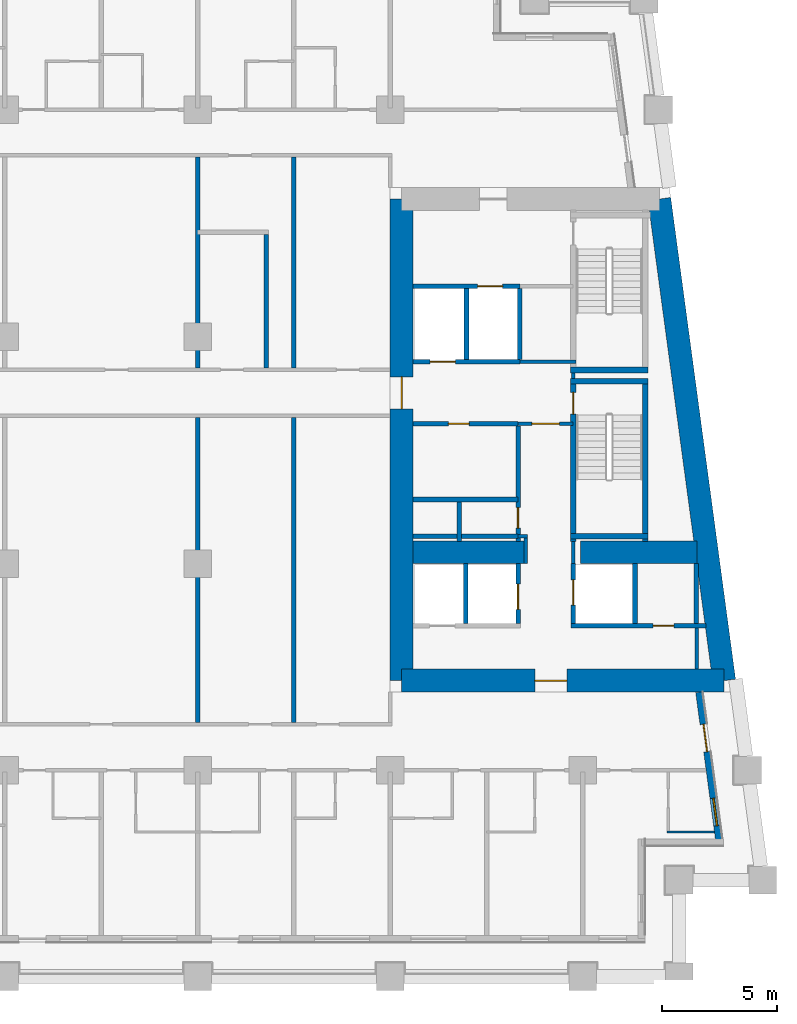
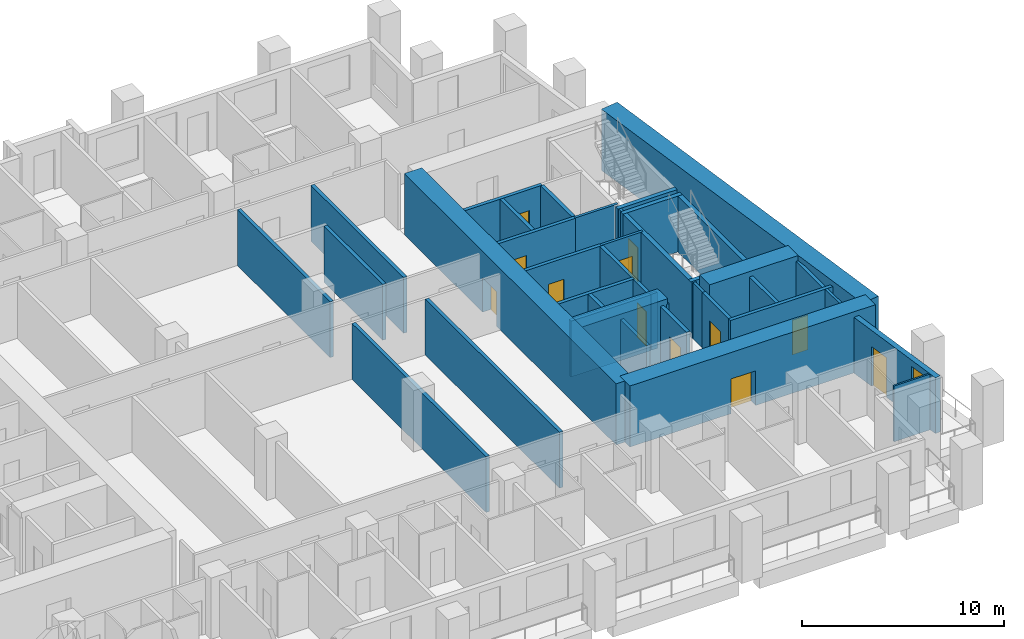
# One storey, part 6 of 14: 39 walls, 12 doors, 1 window, 13 openings.
"""IFC4 building model written with IfcOpenShell, lengths in metres."""

from ifc_helpers import new_model, si_unit, direction, frame, frame_2d, origin, place, context, subcontext, project, spatial, rectangle, extrude, material, layer, layer_set, type_object, element, fill, save


model = new_model("IFC4")

# Units and contexts
model_context = context("Model", 3, precision=1e-05, world=origin(), true_north=direction((0.0, 1.0)))
body_context = subcontext(model_context, "Body", "Model", "MODEL_VIEW")
ifc_project = project(units=[si_unit("LENGTHUNIT", "METRE"), si_unit("AREAUNIT", "SQUARE_METRE"), si_unit("VOLUMEUNIT", "CUBIC_METRE"), si_unit("PLANEANGLEUNIT", "RADIAN"), si_unit("MASSUNIT", "GRAM", prefix="KILO")], contexts=[model_context])

# Site, building, storey
site_placement = place(None, origin())
site = spatial("IfcSite", under=ifc_project, at=site_placement, CompositionType="ELEMENT")
building_placement = place(site_placement, origin())
building = spatial("IfcBuilding", under=site, at=building_placement, Name="Candeia Pilgrim Tower and Theatre", CompositionType="ELEMENT")
storey_placement = place(building_placement, frame((0.0, 0.0, 120.60009765625)))
storey = spatial("IfcBuildingStorey", under=building, at=storey_placement, Name="L28", CompositionType="ELEMENT", Elevation=120.60009765625)

# Wall
ifc_material_1 = material(Name="Concrete C70/85", Category="concrete")
ifc_layer_1 = layer(ifc_material_1, 1.0)
ifc_layer_set_1 = layer_set([ifc_layer_1], Name="Core wall 1000 C70/85")
wall_type_1 = type_object("IfcWallType", Name="Core wall 1000 C70/85", PredefinedType="SHEAR", material=ifc_layer_set_1)
wall_1_placement = place(storey_placement, frame((137.73193359375, 131.89990234375, 0.0), z_axis=(0.0, 0.0, 1.0), x_axis=(0.133411141623, -0.991060778808, 0.0)))
element("IfcWall", 1, at=wall_1_placement, inside=storey, type_object=wall_type_1, Name="Core wall E2", PredefinedType="SHEAR", context=body_context, shape_type="SweptSolid", body=[
    extrude(rectangle(XDim=21.189453125, YDim=1.0, at=frame_2d((10.5947265625, 0.0))), origin(), (0.0, 0.0, 1.0), 3.699951171875),
])

# Wall, opening, door
wall_2_placement = place(storey_placement, frame((140.558837890625, 110.89990234375, 0.0), z_axis=(0.0, 0.0, 1.0), x_axis=(-1.0, 0.0, 0.0)))
wall_2 = element("IfcWall", 2, at=wall_2_placement, inside=storey, type_object=wall_type_1, Name="Core wall E3", PredefinedType="SHEAR", context=body_context, shape_type="SweptSolid", body=[
    extrude(rectangle(XDim=14.058837890625, YDim=1.0, at=frame_2d((7.029296875, 0.0))), origin(), (0.0, 0.0, 1.0), 3.699951171875),
])
opening_1_placement = place(wall_2_placement, frame((6.857666015625, 0.0, 0.0)))
opening_1 = element("IfcOpeningElement", 3, at=opening_1_placement, cuts=wall_2, Name="Opening L28-D067", PredefinedType="OPENING", context=body_context, shape_type="SweptSolid", body=[
    extrude(rectangle(XDim=1.39990234375, YDim=2.10009765625, at=frame_2d((0.699951171875, 1.050048828125))), frame((0.0, 0.510009765625, 0.0), z_axis=(0.0, -1.0, 0.0), x_axis=(1.0, 0.0, 0.0)), (0.0, 0.0, 1.0), 1.02001953125),
])
ifc_material_2 = material(Name="Steel fire door set", Category="steel")
door_type_1 = type_object("IfcDoorType", Name="D-1400-FD60", OperationType="NOTDEFINED", PredefinedType="DOOR", material=ifc_material_2)
door_1_placement = place(opening_1_placement, origin())
door_1 = element("IfcDoor", 4, at=door_1_placement, inside=storey, type_object=door_type_1, Name="Door L28-D067", OperationType="SINGLE_SWING_LEFT", OverallHeight=2.10009765625, OverallWidth=1.39990234375, PredefinedType="DOOR", context=body_context, shape_type="SweptSolid", body=[
    extrude(rectangle(XDim=1.39990234375, YDim=2.10009765625, at=frame_2d((0.699951171875, 1.050048828125))), frame((0.0, 0.02490234375, 0.0), z_axis=(0.0, -1.0, 0.0), x_axis=(1.0, 0.0, 0.0)), (0.0, 0.0, 1.0), 0.050048828125),
])
fill(opening_1, door_1)

wall_3_placement = place(storey_placement, frame((126.5, 110.89990234375, 0.0), z_axis=(0.0, 0.0, 1.0), x_axis=(0.0, 1.0, 0.0)))
wall_3 = element("IfcWall", 5, at=wall_3_placement, inside=storey, type_object=wall_type_1, Name="Core wall E4", PredefinedType="SHEAR", context=body_context, shape_type="SweptSolid", body=[
    extrude(rectangle(XDim=21.0, YDim=1.0, at=frame_2d((10.5, 0.0))), origin(), (0.0, 0.0, 1.0), 3.699951171875),
])
opening_2_placement = place(wall_3_placement, frame((11.85009765625, 0.0, 0.0)))
opening_2 = element("IfcOpeningElement", 6, at=opening_2_placement, cuts=wall_3, Name="Opening L28-D069", PredefinedType="OPENING", context=body_context, shape_type="SweptSolid", body=[
    extrude(rectangle(XDim=1.39990234375, YDim=2.10009765625, at=frame_2d((0.699951171875, 1.050048828125))), frame((0.0, 0.510009765625, 0.0), z_axis=(0.0, -1.0, 0.0), x_axis=(1.0, 0.0, 0.0)), (0.0, 0.0, 1.0), 1.02001953125),
])
door_2_placement = place(opening_2_placement, origin())
door_2 = element("IfcDoor", 7, at=door_2_placement, inside=storey, type_object=door_type_1, Name="Door L28-D069", OperationType="SINGLE_SWING_LEFT", OverallHeight=2.10009765625, OverallWidth=1.39990234375, PredefinedType="DOOR", context=body_context, shape_type="SweptSolid", body=[
    extrude(rectangle(XDim=1.39990234375, YDim=2.10009765625, at=frame_2d((0.699951171875, 1.050048828125))), frame((0.0, 0.02490234375, 0.0), z_axis=(0.0, -1.0, 0.0), x_axis=(1.0, 0.0, 0.0)), (0.0, 0.0, 1.0), 0.050048828125),
])
fill(opening_2, door_2)

# Walls
wall_4_placement = place(storey_placement, frame((127.0, 116.5, 0.0), z_axis=(0.0, 0.0, 1.0), x_axis=(1.0, 0.0, 0.0)))
element("IfcWall", 8, at=wall_4_placement, inside=storey, type_object=wall_type_1, Name="Core wall E5", PredefinedType="SHEAR", context=body_context, shape_type="SweptSolid", body=[
    extrude(rectangle(XDim=4.89990234375, YDim=1.0, at=frame_2d((2.449951171875, 0.0))), origin(), (0.0, 0.0, 1.0), 3.699951171875),
])
wall_5_placement = place(storey_placement, frame((134.300048828125, 116.5, 0.0), z_axis=(0.0, 0.0, 1.0), x_axis=(1.0, 0.0, 0.0)))
element("IfcWall", 9, at=wall_5_placement, inside=storey, type_object=wall_type_1, Name="Core wall E6", PredefinedType="SHEAR", context=body_context, shape_type="SweptSolid", body=[
    extrude(rectangle(XDim=5.076904296875, YDim=1.0, at=frame_2d((2.53857421875, 0.0))), origin(), (0.0, 0.0, 1.0), 3.699951171875),
])

# Wall, openings, door, window
ifc_material_3 = material(Name="Ceramic block masonry", Category="masonry")
ifc_layer_2 = layer(ifc_material_3, 0.300048828125)
ifc_layer_set_2 = layer_set([ifc_layer_2], Name="EW1 glazing-line wall 300")
wall_type_2 = type_object("IfcWallType", Name="EW1 glazing-line wall 300", PredefinedType="SOLIDWALL", material=ifc_layer_set_2)
wall_6_placement = place(storey_placement, frame((140.34765625, 103.85009765625, 0.0), z_axis=(0.0, 0.0, 1.0), x_axis=(-0.133431549479, 0.991058031401, 0.0)))
wall_6 = element("IfcWall", 10, at=wall_6_placement, inside=storey, type_object=wall_type_2, Name="External wall L28-3.0", PredefinedType="SOLIDWALL", context=body_context, shape_type="SweptSolid", body=[
    extrude(rectangle(XDim=6.60888671875, YDim=0.300048828125, at=frame_2d((3.304443359375, 0.0))), origin(), (0.0, 0.0, 1.0), 3.3798828125),
])
opening_3_placement = place(wall_6_placement, frame((0.736572265625, 0.0, 0.89990234375)))
opening_3 = element("IfcOpeningElement", 11, at=opening_3_placement, cuts=wall_6, Name="Opening W-B", PredefinedType="OPENING", context=body_context, shape_type="SweptSolid", body=[
    extrude(rectangle(XDim=1.199951171875, YDim=2.10009765625, at=frame_2d((0.60009765625, 1.050048828125))), frame((0.0, 0.16015625, 0.0), z_axis=(0.0, -1.0, 0.0), x_axis=(1.0, 0.0, 0.0)), (0.0, 0.0, 1.0), 0.320068359375),
])
opening_4_placement = place(wall_6_placement, frame((3.990966796875, 0.0, 0.0)))
opening_4 = element("IfcOpeningElement", 12, at=opening_4_placement, cuts=wall_6, Name="Opening L28-ED283", PredefinedType="OPENING", context=body_context, shape_type="SweptSolid", body=[
    extrude(rectangle(XDim=1.199951171875, YDim=2.39990234375, at=frame_2d((0.60009765625, 1.199951171875))), frame((0.0, 0.16015625, 0.0), z_axis=(0.0, -1.0, 0.0), x_axis=(1.0, 0.0, 0.0)), (0.0, 0.0, 1.0), 0.320068359375),
])
ifc_material_4 = material(Name="Aluminium framed glazed door", Category="aluminium")
door_type_2 = type_object("IfcDoorType", Name="Loggia door 1200x2400", OperationType="DOUBLE_DOOR_SINGLE_SWING", PredefinedType="DOOR", material=ifc_material_4)
door_3_placement = place(opening_4_placement, origin())
door_3 = element("IfcDoor", 13, at=door_3_placement, inside=storey, type_object=door_type_2, Name="Loggia door L28-ED283", OperationType="DOUBLE_DOOR_SINGLE_SWING", OverallHeight=2.39990234375, OverallWidth=1.199951171875, PredefinedType="DOOR", context=body_context, shape_type="SweptSolid", body=[
    extrude(rectangle(XDim=1.199951171875, YDim=2.39990234375, at=frame_2d((0.60009765625, 1.199951171875))), frame((0.0, 0.02490234375, 0.0), z_axis=(0.0, -1.0, 0.0), x_axis=(1.0, 0.0, 0.0)), (0.0, 0.0, 1.0), 0.050048828125),
])
fill(opening_4, door_3)
ifc_material_5 = material(Name="Aluminium framed double glazing", Category="aluminium")
window_type = type_object("IfcWindowType", Name="W-B window 1200x2100", PartitioningType="SINGLE_PANEL", PredefinedType="WINDOW", material=ifc_material_5)
window_placement = place(opening_3_placement, origin())
window = element("IfcWindow", 14, at=window_placement, inside=storey, type_object=window_type, Name="Window W-B L28", OverallHeight=2.10009765625, OverallWidth=1.199951171875, PartitioningType="SINGLE_PANEL", PredefinedType="WINDOW", context=body_context, shape_type="SweptSolid", body=[
    extrude(rectangle(XDim=1.199951171875, YDim=2.10009765625, at=frame_2d((0.60009765625, 1.050048828125))), frame((0.0, 0.030029296875, 0.0), z_axis=(0.0, -1.0, 0.0), x_axis=(1.0, 0.0, 0.0)), (0.0, 0.0, 1.0), 0.06005859375),
])
fill(opening_3, window)

# Walls
ifc_material_6 = material(Name="Gypsum board partition on steel studs", Category="steel")
ifc_layer_3 = layer(ifc_material_6, 0.10009765625)
ifc_layer_set_3 = layer_set([ifc_layer_3], Name="PW-100 room partition")
wall_type_3 = type_object("IfcWallType", Name="PW-100 room partition", PredefinedType="PARTITIONING", material=ifc_layer_set_3)
wall_7_placement = place(storey_placement, frame((138.070068359375, 104.300048828125, 0.0), z_axis=(0.0, 0.0, 1.0), x_axis=(1.0, 0.0, 0.0)))
element("IfcWall", 15, at=wall_7_placement, inside=storey, type_object=wall_type_3, Name="Room partition L28-003", PredefinedType="PARTITIONING", context=body_context, shape_type="SweptSolid", body=[
    extrude(rectangle(XDim=2.07568359375, YDim=0.10009765625, at=frame_2d((1.037841796875, 0.0))), origin(), (0.0, 0.0, 1.0), 3.3798828125),
])
ifc_layer_4 = layer(ifc_material_6, 0.14990234375)
ifc_layer_set_4 = layer_set([ifc_layer_4], Name="PW-150 lobby wall")
wall_type_4 = type_object("IfcWallType", Name="PW-150 lobby wall", PredefinedType="PARTITIONING", material=ifc_layer_set_4)
wall_8_placement = place(storey_placement, frame((131.572998046875, 117.199951171875, 0.0), z_axis=(0.0, 0.0, 1.0), x_axis=(1.0, 0.0, 0.0)))
element("IfcWall", 16, at=wall_8_placement, inside=storey, type_object=wall_type_4, Name="Lobby wall L28-021", PredefinedType="PARTITIONING", context=body_context, shape_type="SweptSolid", body=[
    extrude(rectangle(XDim=0.402099609375, YDim=0.14990234375, at=frame_2d((0.201171875, 0.0))), origin(), (0.0, 0.0, 1.0), 3.3798828125),
])

# Wall, opening, door
wall_9_placement = place(storey_placement, frame((131.572998046875, 122.10009765625, 0.0), z_axis=(0.0, 0.0, 1.0), x_axis=(1.0, 0.0, 0.0)))
wall_9 = element("IfcWall", 17, at=wall_9_placement, inside=storey, type_object=wall_type_4, Name="Lobby wall L28-029", PredefinedType="PARTITIONING", context=body_context, shape_type="SweptSolid", body=[
    extrude(rectangle(XDim=2.39990234375, YDim=0.14990234375, at=frame_2d((1.199951171875, 0.0))), origin(), (0.0, 0.0, 1.0), 3.3798828125),
])
opening_5_placement = place(wall_9_placement, frame((0.60009765625, 0.0, 0.0)))
opening_5 = element("IfcOpeningElement", 18, at=opening_5_placement, cuts=wall_9, Name="Opening L28-D008", PredefinedType="OPENING", context=body_context, shape_type="SweptSolid", body=[
    extrude(rectangle(XDim=1.199951171875, YDim=2.10009765625, at=frame_2d((0.60009765625, 1.050048828125))), frame((0.0, 0.0849609375, 0.0), z_axis=(0.0, -1.0, 0.0), x_axis=(1.0, 0.0, 0.0)), (0.0, 0.0, 1.0), 0.169921875),
])
door_type_3 = type_object("IfcDoorType", Name="D-1200-FD60", OperationType="NOTDEFINED", PredefinedType="DOOR", material=ifc_material_2)
door_4_placement = place(opening_5_placement, origin())
door_4 = element("IfcDoor", 19, at=door_4_placement, inside=storey, type_object=door_type_3, Name="Door L28-D008", OperationType="SINGLE_SWING_LEFT", OverallHeight=2.10009765625, OverallWidth=1.199951171875, PredefinedType="DOOR", context=body_context, shape_type="SweptSolid", body=[
    extrude(rectangle(XDim=1.199951171875, YDim=2.10009765625, at=frame_2d((0.60009765625, 1.050048828125))), frame((0.0, 0.02490234375, 0.0), z_axis=(0.0, -1.0, 0.0), x_axis=(1.0, 0.0, 0.0)), (0.0, 0.0, 1.0), 0.050048828125),
])
fill(opening_5, door_4)

# Walls
wall_10_placement = place(storey_placement, frame((131.648681640625, 124.800048828125, 0.0), z_axis=(0.0, 0.0, 1.0), x_axis=(1.0, 0.0, 0.0)))
element("IfcWall", 20, at=wall_10_placement, inside=storey, type_object=wall_type_4, Name="Lobby wall L28-038", PredefinedType="PARTITIONING", context=body_context, shape_type="SweptSolid", body=[
    extrude(rectangle(XDim=2.44921875, YDim=0.14990234375, at=frame_2d((1.224609375, 0.0))), origin(), (0.0, 0.0, 1.0), 3.3798828125),
])
wall_11_placement = place(storey_placement, frame((131.89990234375, 116.0, 0.0), z_axis=(0.0, 0.0, 1.0), x_axis=(0.0, 1.0, 0.0)))
element("IfcWall", 21, at=wall_11_placement, inside=storey, type_object=wall_type_4, Name="Lobby wall L28-122", PredefinedType="PARTITIONING", context=body_context, shape_type="SweptSolid", body=[
    extrude(rectangle(XDim=1.125, YDim=0.14990234375, at=frame_2d((0.5625, 0.0))), origin(), (0.0, 0.0, 1.0), 3.3798828125),
])
wall_12_placement = place(storey_placement, frame((133.972900390625, 116.0, 0.0), z_axis=(0.0, 0.0, 1.0), x_axis=(0.0, 1.0, 0.0)))
element("IfcWall", 22, at=wall_12_placement, inside=storey, type_object=wall_type_4, Name="Lobby wall L28-125", PredefinedType="PARTITIONING", context=body_context, shape_type="SweptSolid", body=[
    extrude(rectangle(XDim=0.969970703125, YDim=0.14990234375, at=frame_2d((0.48486328125, 0.0))), origin(), (0.0, 0.0, 1.0), 3.3798828125),
])
wall_13_placement = place(storey_placement, frame((133.972900390625, 124.074951171875, 0.0), z_axis=(0.0, 0.0, 1.0), x_axis=(0.0, 1.0, 0.0)))
element("IfcWall", 23, at=wall_13_placement, inside=storey, type_object=wall_type_4, Name="Lobby wall L28-126", PredefinedType="PARTITIONING", context=body_context, shape_type="SweptSolid", body=[
    extrude(rectangle(XDim=0.25, YDim=0.14990234375, at=frame_2d((0.125, 0.0))), origin(), (0.0, 0.0, 1.0), 3.3798828125),
])
wall_14_placement = place(storey_placement, frame((139.37109375, 111.39990234375, 0.0), z_axis=(0.0, 0.0, 1.0), x_axis=(0.0, 1.0, 0.0)))
element("IfcWall", 24, at=wall_14_placement, inside=storey, type_object=wall_type_4, Name="Lobby wall L28-135", PredefinedType="PARTITIONING", context=body_context, shape_type="SweptSolid", body=[
    extrude(rectangle(XDim=1.800048828125, YDim=0.14990234375, at=frame_2d((0.89990234375, 0.0))), origin(), (0.0, 0.0, 1.0), 3.3798828125),
])
ifc_layer_5 = layer(ifc_material_6, 0.199951171875)
ifc_layer_set_5 = layer_set([ifc_layer_5], Name="PW-200 party wall")
wall_type_5 = type_object("IfcWallType", Name="PW-200 party wall", PredefinedType="PARTITIONING", material=ifc_layer_set_5)
wall_15_placement = place(storey_placement, frame((117.60009765625, 109.074951171875, 0.0), z_axis=(0.0, 0.0, 1.0), x_axis=(0.0, 1.0, 0.0)))
element("IfcWall", 25, at=wall_15_placement, inside=storey, type_object=wall_type_5, Name="Party wall L28-098", PredefinedType="PARTITIONING", context=body_context, shape_type="SweptSolid", body=[
    extrude(rectangle(XDim=13.300048828125, YDim=0.199951171875, at=frame_2d((6.64990234375, 0.0))), origin(), (0.0, 0.0, 1.0), 3.3798828125),
])
wall_16_placement = place(storey_placement, frame((117.60009765625, 124.52490234375, 0.0), z_axis=(0.0, 0.0, 1.0), x_axis=(0.0, 1.0, 0.0)))
element("IfcWall", 26, at=wall_16_placement, inside=storey, type_object=wall_type_5, Name="Party wall L28-099", PredefinedType="PARTITIONING", context=body_context, shape_type="SweptSolid", body=[
    extrude(rectangle(XDim=9.2001953125, YDim=0.199951171875, at=frame_2d((4.60009765625, 0.0))), origin(), (0.0, 0.0, 1.0), 3.3798828125),
])
wall_17_placement = place(storey_placement, frame((120.60009765625, 124.52490234375, 0.0), z_axis=(0.0, 0.0, 1.0), x_axis=(0.0, 1.0, 0.0)))
element("IfcWall", 27, at=wall_17_placement, inside=storey, type_object=wall_type_5, Name="Party wall L28-103", PredefinedType="PARTITIONING", context=body_context, shape_type="SweptSolid", body=[
    extrude(rectangle(XDim=5.8251953125, YDim=0.199951171875, at=frame_2d((2.91259765625, 0.0))), origin(), (0.0, 0.0, 1.0), 3.3798828125),
])
wall_18_placement = place(storey_placement, frame((121.800048828125, 109.074951171875, 0.0), z_axis=(0.0, 0.0, 1.0), x_axis=(0.0, 1.0, 0.0)))
element("IfcWall", 28, at=wall_18_placement, inside=storey, type_object=wall_type_5, Name="Party wall L28-105", PredefinedType="PARTITIONING", context=body_context, shape_type="SweptSolid", body=[
    extrude(rectangle(XDim=13.300048828125, YDim=0.199951171875, at=frame_2d((6.64990234375, 0.0))), origin(), (0.0, 0.0, 1.0), 3.3798828125),
])
wall_19_placement = place(storey_placement, frame((121.800048828125, 124.52490234375, 0.0), z_axis=(0.0, 0.0, 1.0), x_axis=(0.0, 1.0, 0.0)))
element("IfcWall", 29, at=wall_19_placement, inside=storey, type_object=wall_type_5, Name="Party wall L28-106", PredefinedType="PARTITIONING", context=body_context, shape_type="SweptSolid", body=[
    extrude(rectangle(XDim=9.2001953125, YDim=0.199951171875, at=frame_2d((4.60009765625, 0.0))), origin(), (0.0, 0.0, 1.0), 3.3798828125),
])

# Wall, opening, door
ifc_material_7 = material(Name="Concrete C40/50", Category="concrete")
ifc_layer_6 = layer(ifc_material_7, 0.199951171875)
ifc_layer_set_6 = layer_set([ifc_layer_6], Name="SW-200 shaft wall")
wall_type_6 = type_object("IfcWallType", Name="SW-200 shaft wall", PredefinedType="PARTITIONING", material=ifc_layer_set_6)
wall_20_placement = place(storey_placement, frame((133.873046875, 113.300048828125, 0.0), z_axis=(0.0, 0.0, 1.0), x_axis=(1.0, 0.0, 0.0)))
wall_20 = element("IfcWall", 30, at=wall_20_placement, inside=storey, type_object=wall_type_6, Name="Shaft wall L28-017", PredefinedType="PARTITIONING", context=body_context, shape_type="SweptSolid", body=[
    extrude(rectangle(XDim=5.888427734375, YDim=0.199951171875, at=frame_2d((2.9443359375, 0.0))), origin(), (0.0, 0.0, 1.0), 3.3798828125),
])
opening_6_placement = place(wall_20_placement, frame((3.589111328125, 0.0, 0.0)))
opening_6 = element("IfcOpeningElement", 31, at=opening_6_placement, cuts=wall_20, Name="Opening L28-D013", PredefinedType="OPENING", context=body_context, shape_type="SweptSolid", body=[
    extrude(rectangle(XDim=0.89990234375, YDim=2.10009765625, at=frame_2d((0.449951171875, 1.050048828125))), frame((0.0, 0.10986328125, 0.0), z_axis=(0.0, -1.0, 0.0), x_axis=(1.0, 0.0, 0.0)), (0.0, 0.0, 1.0), 0.219970703125),
])
door_type_4 = type_object("IfcDoorType", Name="D-900-FD60", OperationType="NOTDEFINED", PredefinedType="DOOR", material=ifc_material_2)
door_5_placement = place(opening_6_placement, origin())
door_5 = element("IfcDoor", 32, at=door_5_placement, inside=storey, type_object=door_type_4, Name="Door L28-D013", OperationType="SINGLE_SWING_LEFT", OverallHeight=2.10009765625, OverallWidth=0.89990234375, PredefinedType="DOOR", context=body_context, shape_type="SweptSolid", body=[
    extrude(rectangle(XDim=0.89990234375, YDim=2.10009765625, at=frame_2d((0.449951171875, 1.050048828125))), frame((0.0, 0.02490234375, 0.0), z_axis=(0.0, -1.0, 0.0), x_axis=(1.0, 0.0, 0.0)), (0.0, 0.0, 1.0), 0.050048828125),
])
fill(opening_6, door_5)

# Walls
for number, where, z_axis, x_axis, name in (
    (33, (127.0, 117.199951171875, 0.0), (0.0, 0.0, 1.0), (1.0, 0.0, 0.0), "Shaft wall L28-019"),
    (34, (127.0, 118.800048828125, 0.0), (0.0, 0.0, 1.0), (1.0, 0.0, 0.0), "Shaft wall L28-025"),
):
    element("IfcWall", number, at=place(storey_placement, frame(where, z_axis=z_axis, x_axis=x_axis)), inside=storey, type_object=wall_type_6, Name=name, PredefinedType="PARTITIONING", context=body_context, shape_type="SweptSolid", body=[
        extrude(rectangle(XDim=4.572998046875, YDim=0.199951171875, at=frame_2d((2.28662109375, 0.0))), origin(), (0.0, 0.0, 1.0), 3.3798828125),
    ])

# Wall, opening, door
wall_21_placement = place(storey_placement, frame((127.0, 122.10009765625, 0.0), z_axis=(0.0, 0.0, 1.0), x_axis=(1.0, 0.0, 0.0)))
wall_21 = element("IfcWall", 35, at=wall_21_placement, inside=storey, type_object=wall_type_6, Name="Shaft wall L28-027", PredefinedType="PARTITIONING", context=body_context, shape_type="SweptSolid", body=[
    extrude(rectangle(XDim=4.572998046875, YDim=0.199951171875, at=frame_2d((2.28662109375, 0.0))), origin(), (0.0, 0.0, 1.0), 3.3798828125),
])
opening_7_placement = place(wall_21_placement, frame((1.5390625, 0.0, 0.0)))
opening_7 = element("IfcOpeningElement", 36, at=opening_7_placement, cuts=wall_21, Name="Opening L28-D009", PredefinedType="OPENING", context=body_context, shape_type="SweptSolid", body=[
    extrude(rectangle(XDim=0.89990234375, YDim=2.10009765625, at=frame_2d((0.449951171875, 1.050048828125))), frame((0.0, 0.10986328125, 0.0), z_axis=(0.0, -1.0, 0.0), x_axis=(1.0, 0.0, 0.0)), (0.0, 0.0, 1.0), 0.219970703125),
])
door_6_placement = place(opening_7_placement, origin())
door_6 = element("IfcDoor", 37, at=door_6_placement, inside=storey, type_object=door_type_4, Name="Door L28-D009", OperationType="SINGLE_SWING_RIGHT", OverallHeight=2.10009765625, OverallWidth=0.89990234375, PredefinedType="DOOR", context=body_context, shape_type="SweptSolid", body=[
    extrude(rectangle(XDim=0.89990234375, YDim=2.10009765625, at=frame_2d((0.449951171875, 1.050048828125))), frame((0.0, 0.02490234375, 0.0), z_axis=(0.0, -1.0, 0.0), x_axis=(1.0, 0.0, 0.0)), (0.0, 0.0, 1.0), 0.050048828125),
])
fill(opening_7, door_6)

wall_22_placement = place(storey_placement, frame((127.0, 124.800048828125, 0.0), z_axis=(0.0, 0.0, 1.0), x_axis=(1.0, 0.0, 0.0)))
wall_22 = element("IfcWall", 38, at=wall_22_placement, inside=storey, type_object=wall_type_6, Name="Shaft wall L28-037", PredefinedType="PARTITIONING", context=body_context, shape_type="SweptSolid", body=[
    extrude(rectangle(XDim=4.648681640625, YDim=0.199951171875, at=frame_2d((2.32421875, 0.0))), origin(), (0.0, 0.0, 1.0), 3.3798828125),
])
opening_8_placement = place(wall_22_placement, frame((0.742919921875, 0.0, 0.0)))
opening_8 = element("IfcOpeningElement", 39, at=opening_8_placement, cuts=wall_22, Name="Opening L28-LD05", PredefinedType="OPENING", context=body_context, shape_type="SweptSolid", body=[
    extrude(rectangle(XDim=1.10009765625, YDim=2.10009765625, at=frame_2d((0.550048828125, 1.050048828125))), frame((0.0, 0.10986328125, 0.0), z_axis=(0.0, -1.0, 0.0), x_axis=(1.0, 0.0, 0.0)), (0.0, 0.0, 1.0), 0.219970703125),
])
ifc_material_8 = material(Name="Glazed aluminium landing door", Category="aluminium")
door_type_5 = type_object("IfcDoorType", Name="LD-1100-EI120", OperationType="SLIDING_TO_LEFT", PredefinedType="DOOR", material=ifc_material_8)
door_7_placement = place(opening_8_placement, origin())
door_7 = element("IfcDoor", 40, at=door_7_placement, inside=storey, type_object=door_type_5, Name="Landing door 05 L28", OperationType="SLIDING_TO_LEFT", OverallHeight=2.10009765625, OverallWidth=1.10009765625, PredefinedType="DOOR", context=body_context, shape_type="SweptSolid", body=[
    extrude(rectangle(XDim=1.10009765625, YDim=2.10009765625, at=frame_2d((0.550048828125, 1.050048828125))), frame((0.0, 0.02490234375, 0.0), z_axis=(0.0, -1.0, 0.0), x_axis=(1.0, 0.0, 0.0)), (0.0, 0.0, 1.0), 0.050048828125),
])
fill(opening_8, door_7)

wall_23_placement = place(storey_placement, frame((127.0, 128.10009765625, 0.0), z_axis=(0.0, 0.0, 1.0), x_axis=(1.0, 0.0, 0.0)))
wall_23 = element("IfcWall", 41, at=wall_23_placement, inside=storey, type_object=wall_type_6, Name="Shaft wall L28-040", PredefinedType="PARTITIONING", context=body_context, shape_type="SweptSolid", body=[
    extrude(rectangle(XDim=4.648681640625, YDim=0.199951171875, at=frame_2d((2.32421875, 0.0))), origin(), (0.0, 0.0, 1.0), 3.3798828125),
])
opening_9_placement = place(wall_23_placement, frame((2.804931640625, 0.0, 0.0)))
opening_9 = element("IfcOpeningElement", 42, at=opening_9_placement, cuts=wall_23, Name="Opening L28-LD04", PredefinedType="OPENING", context=body_context, shape_type="SweptSolid", body=[
    extrude(rectangle(XDim=1.10009765625, YDim=2.10009765625, at=frame_2d((0.550048828125, 1.050048828125))), frame((0.0, 0.10986328125, 0.0), z_axis=(0.0, -1.0, 0.0), x_axis=(1.0, 0.0, 0.0)), (0.0, 0.0, 1.0), 0.219970703125),
])
door_8_placement = place(opening_9_placement, origin())
door_8 = element("IfcDoor", 43, at=door_8_placement, inside=storey, type_object=door_type_5, Name="Landing door 04 L28", OperationType="SLIDING_TO_LEFT", OverallHeight=2.10009765625, OverallWidth=1.10009765625, PredefinedType="DOOR", context=body_context, shape_type="SweptSolid", body=[
    extrude(rectangle(XDim=1.10009765625, YDim=2.10009765625, at=frame_2d((0.550048828125, 1.050048828125))), frame((0.0, 0.02490234375, 0.0), z_axis=(0.0, -1.0, 0.0), x_axis=(1.0, 0.0, 0.0)), (0.0, 0.0, 1.0), 0.050048828125),
])
fill(opening_9, door_8)

# Walls
wall_24_placement = place(storey_placement, frame((129.0, 116.969970703125, 0.0), z_axis=(0.0, 0.0, 1.0), x_axis=(0.0, 1.0, 0.0)))
element("IfcWall", 44, at=wall_24_placement, inside=storey, type_object=wall_type_6, Name="Shaft wall L28-115", PredefinedType="PARTITIONING", context=body_context, shape_type="SweptSolid", body=[
    extrude(rectangle(XDim=1.72998046875, YDim=0.199951171875, at=frame_2d((0.864990234375, 0.0))), origin(), (0.0, 0.0, 1.0), 3.3798828125),
])
wall_25_placement = place(storey_placement, frame((129.28662109375, 113.39990234375, 0.0), z_axis=(0.0, 0.0, 1.0), x_axis=(0.0, 1.0, 0.0)))
element("IfcWall", 45, at=wall_25_placement, inside=storey, type_object=wall_type_6, Name="Shaft wall L28-116", PredefinedType="PARTITIONING", context=body_context, shape_type="SweptSolid", body=[
    extrude(rectangle(XDim=2.60009765625, YDim=0.199951171875, at=frame_2d((1.300048828125, 0.0))), origin(), (0.0, 0.0, 1.0), 3.3798828125),
])
wall_26_placement = place(storey_placement, frame((129.32421875, 124.89990234375, 0.0), z_axis=(0.0, 0.0, 1.0), x_axis=(0.0, 1.0, 0.0)))
element("IfcWall", 46, at=wall_26_placement, inside=storey, type_object=wall_type_6, Name="Shaft wall L28-117", PredefinedType="PARTITIONING", context=body_context, shape_type="SweptSolid", body=[
    extrude(rectangle(XDim=3.10009765625, YDim=0.199951171875, at=frame_2d((1.550048828125, 0.0))), origin(), (0.0, 0.0, 1.0), 3.3798828125),
])

# Wall, opening, door
wall_27_placement = place(storey_placement, frame((131.572998046875, 113.39990234375, 0.0), z_axis=(0.0, 0.0, 1.0), x_axis=(0.0, 1.0, 0.0)))
wall_27 = element("IfcWall", 47, at=wall_27_placement, inside=storey, type_object=wall_type_6, Name="Shaft wall L28-119", PredefinedType="PARTITIONING", context=body_context, shape_type="SweptSolid", body=[
    extrude(rectangle(XDim=2.60009765625, YDim=0.199951171875, at=frame_2d((1.300048828125, 0.0))), origin(), (0.0, 0.0, 1.0), 3.3798828125),
])
opening_10_placement = place(wall_27_placement, frame((0.610107421875, 0.0, 0.0)))
opening_10 = element("IfcOpeningElement", 48, at=opening_10_placement, cuts=wall_27, Name="Opening L28-LD07", PredefinedType="OPENING", context=body_context, shape_type="SweptSolid", body=[
    extrude(rectangle(XDim=1.10009765625, YDim=2.10009765625, at=frame_2d((0.550048828125, 1.050048828125))), frame((0.0, 0.10986328125, 0.0), z_axis=(0.0, -1.0, 0.0), x_axis=(1.0, 0.0, 0.0)), (0.0, 0.0, 1.0), 0.219970703125),
])
door_9_placement = place(opening_10_placement, origin())
door_9 = element("IfcDoor", 49, at=door_9_placement, inside=storey, type_object=door_type_5, Name="Landing door 07 L28", OperationType="SLIDING_TO_LEFT", OverallHeight=2.10009765625, OverallWidth=1.10009765625, PredefinedType="DOOR", context=body_context, shape_type="SweptSolid", body=[
    extrude(rectangle(XDim=1.10009765625, YDim=2.10009765625, at=frame_2d((0.550048828125, 1.050048828125))), frame((0.0, 0.02490234375, 0.0), z_axis=(0.0, -1.0, 0.0), x_axis=(1.0, 0.0, 0.0)), (0.0, 0.0, 1.0), 0.050048828125),
])
fill(opening_10, door_9)

wall_28_placement = place(storey_placement, frame((131.572998046875, 116.969970703125, 0.0), z_axis=(0.0, 0.0, 1.0), x_axis=(0.0, 1.0, 0.0)))
wall_28 = element("IfcWall", 50, at=wall_28_placement, inside=storey, type_object=wall_type_6, Name="Shaft wall L28-120", PredefinedType="PARTITIONING", context=body_context, shape_type="SweptSolid", body=[
    extrude(rectangle(XDim=5.030029296875, YDim=0.199951171875, at=frame_2d((2.51513671875, 0.0))), origin(), (0.0, 0.0, 1.0), 3.3798828125),
])
opening_11_placement = place(wall_28_placement, frame((0.580078125, 0.0, 0.0)))
opening_11 = element("IfcOpeningElement", 51, at=opening_11_placement, cuts=wall_28, Name="Opening L28-D012", PredefinedType="OPENING", context=body_context, shape_type="SweptSolid", body=[
    extrude(rectangle(XDim=0.89990234375, YDim=2.10009765625, at=frame_2d((0.449951171875, 1.050048828125))), frame((0.0, 0.10986328125, 0.0), z_axis=(0.0, -1.0, 0.0), x_axis=(1.0, 0.0, 0.0)), (0.0, 0.0, 1.0), 0.219970703125),
])
door_10_placement = place(opening_11_placement, origin())
door_10 = element("IfcDoor", 52, at=door_10_placement, inside=storey, type_object=door_type_4, Name="Door L28-D012", OperationType="SINGLE_SWING_LEFT", OverallHeight=2.10009765625, OverallWidth=0.89990234375, PredefinedType="DOOR", context=body_context, shape_type="SweptSolid", body=[
    extrude(rectangle(XDim=0.89990234375, YDim=2.10009765625, at=frame_2d((0.449951171875, 1.050048828125))), frame((0.0, 0.02490234375, 0.0), z_axis=(0.0, -1.0, 0.0), x_axis=(1.0, 0.0, 0.0)), (0.0, 0.0, 1.0), 0.050048828125),
])
fill(opening_11, door_10)

# Wall
wall_29_placement = place(storey_placement, frame((131.648681640625, 124.89990234375, 0.0), z_axis=(0.0, 0.0, 1.0), x_axis=(0.0, 1.0, 0.0)))
element("IfcWall", 53, at=wall_29_placement, inside=storey, type_object=wall_type_6, Name="Shaft wall L28-121", PredefinedType="PARTITIONING", context=body_context, shape_type="SweptSolid", body=[
    extrude(rectangle(XDim=3.10009765625, YDim=0.199951171875, at=frame_2d((1.550048828125, 0.0))), origin(), (0.0, 0.0, 1.0), 3.3798828125),
])

# Wall, opening, door
wall_30_placement = place(storey_placement, frame((133.972900390625, 113.39990234375, 0.0), z_axis=(0.0, 0.0, 1.0), x_axis=(0.0, 1.0, 0.0)))
wall_30 = element("IfcWall", 54, at=wall_30_placement, inside=storey, type_object=wall_type_6, Name="Shaft wall L28-124", PredefinedType="PARTITIONING", context=body_context, shape_type="SweptSolid", body=[
    extrude(rectangle(XDim=2.60009765625, YDim=0.199951171875, at=frame_2d((1.300048828125, 0.0))), origin(), (0.0, 0.0, 1.0), 3.3798828125),
])
opening_12_placement = place(wall_30_placement, frame((0.7900390625, 0.0, 0.0)))
opening_12 = element("IfcOpeningElement", 55, at=opening_12_placement, cuts=wall_30, Name="Opening L28-LD06", PredefinedType="OPENING", context=body_context, shape_type="SweptSolid", body=[
    extrude(rectangle(XDim=1.10009765625, YDim=2.10009765625, at=frame_2d((0.550048828125, 1.050048828125))), frame((0.0, 0.10986328125, 0.0), z_axis=(0.0, -1.0, 0.0), x_axis=(1.0, 0.0, 0.0)), (0.0, 0.0, 1.0), 0.219970703125),
])
door_11_placement = place(opening_12_placement, origin())
door_11 = element("IfcDoor", 56, at=door_11_placement, inside=storey, type_object=door_type_5, Name="Landing door 06 L28", OperationType="SLIDING_TO_LEFT", OverallHeight=2.10009765625, OverallWidth=1.10009765625, PredefinedType="DOOR", context=body_context, shape_type="SweptSolid", body=[
    extrude(rectangle(XDim=1.10009765625, YDim=2.10009765625, at=frame_2d((0.550048828125, 1.050048828125))), frame((0.0, 0.02490234375, 0.0), z_axis=(0.0, -1.0, 0.0), x_axis=(1.0, 0.0, 0.0)), (0.0, 0.0, 1.0), 0.050048828125),
])
fill(opening_12, door_11)

# Walls
for number, where, z_axis, x_axis, name in (
    (57, (136.672119140625, 113.39990234375, 0.0), (0.0, 0.0, 1.0), (0.0, 1.0, 0.0), "Shaft wall L28-130"),
    (58, (139.348876953125, 113.39990234375, 0.0), (0.0, 0.0, 1.0), (0.0, 1.0, 0.0), "Shaft wall L28-134"),
):
    element("IfcWall", number, at=place(storey_placement, frame(where, z_axis=z_axis, x_axis=x_axis)), inside=storey, type_object=wall_type_6, Name=name, PredefinedType="PARTITIONING", context=body_context, shape_type="SweptSolid", body=[
        extrude(rectangle(XDim=2.60009765625, YDim=0.199951171875, at=frame_2d((1.300048828125, 0.0))), origin(), (0.0, 0.0, 1.0), 3.3798828125),
    ])
ifc_layer_7 = layer(ifc_material_7, 0.25)
ifc_layer_set_7 = layer_set([ifc_layer_7], Name="SW-250 stair wall")
wall_type_7 = type_object("IfcWallType", Name="SW-250 stair wall", PredefinedType="PARTITIONING", material=ifc_layer_set_7)
for number, where, z_axis, x_axis, name in (
    (59, (133.847900390625, 117.199951171875, 0.0), (0.0, 0.0, 1.0), (1.0, 0.0, 0.0), "Stair wall L28-023"),
    (60, (133.847900390625, 123.949951171875, 0.0), (0.0, 0.0, 1.0), (1.0, 0.0, 0.0), "Stair wall L28-032"),
    (61, (133.847900390625, 124.449951171875, 0.0), (0.0, 0.0, 1.0), (1.0, 0.0, 0.0), "Stair wall L28-034"),
):
    element("IfcWall", number, at=place(storey_placement, frame(where, z_axis=z_axis, x_axis=x_axis)), inside=storey, type_object=wall_type_7, Name=name, PredefinedType="PARTITIONING", context=body_context, shape_type="SweptSolid", body=[
        extrude(rectangle(XDim=3.400146484375, YDim=0.25, at=frame_2d((1.7001953125, 0.0))), origin(), (0.0, 0.0, 1.0), 3.3798828125),
    ])

# Wall, opening, door
wall_31_placement = place(storey_placement, frame((133.972900390625, 116.969970703125, 0.0), z_axis=(0.0, 0.0, 1.0), x_axis=(0.0, 1.0, 0.0)))
wall_31 = element("IfcWall", 62, at=wall_31_placement, inside=storey, type_object=wall_type_7, Name="Stair wall L28-127", PredefinedType="PARTITIONING", context=body_context, shape_type="SweptSolid", body=[
    extrude(rectangle(XDim=6.85498046875, YDim=0.25, at=frame_2d((3.427490234375, 0.0))), origin(), (0.0, 0.0, 1.0), 3.3798828125),
])
opening_13_placement = place(wall_31_placement, frame((5.554931640625, 0.0, 0.0)))
opening_13 = element("IfcOpeningElement", 63, at=opening_13_placement, cuts=wall_31, Name="Opening L28-D010", PredefinedType="OPENING", context=body_context, shape_type="SweptSolid", body=[
    extrude(rectangle(XDim=0.949951171875, YDim=2.10009765625, at=frame_2d((0.47509765625, 1.050048828125))), frame((0.0, 0.135009765625, 0.0), z_axis=(0.0, -1.0, 0.0), x_axis=(1.0, 0.0, 0.0)), (0.0, 0.0, 1.0), 0.27001953125),
])
door_type_6 = type_object("IfcDoorType", Name="D-950-FD60", OperationType="NOTDEFINED", PredefinedType="DOOR", material=ifc_material_2)
door_12_placement = place(opening_13_placement, origin())
door_12 = element("IfcDoor", 64, at=door_12_placement, inside=storey, type_object=door_type_6, Name="Door L28-D010", OperationType="SINGLE_SWING_LEFT", OverallHeight=2.10009765625, OverallWidth=0.949951171875, PredefinedType="DOOR", context=body_context, shape_type="SweptSolid", body=[
    extrude(rectangle(XDim=0.949951171875, YDim=2.10009765625, at=frame_2d((0.47509765625, 1.050048828125))), frame((0.0, 0.02490234375, 0.0), z_axis=(0.0, -1.0, 0.0), x_axis=(1.0, 0.0, 0.0)), (0.0, 0.0, 1.0), 0.050048828125),
])
fill(opening_13, door_12)

# Wall
wall_32_placement = place(storey_placement, frame((137.123046875, 116.969970703125, 0.0), z_axis=(0.0, 0.0, 1.0), x_axis=(0.0, 1.0, 0.0)))
element("IfcWall", 65, at=wall_32_placement, inside=storey, type_object=wall_type_7, Name="Stair wall L28-131", PredefinedType="PARTITIONING", context=body_context, shape_type="SweptSolid", body=[
    extrude(rectangle(XDim=6.85498046875, YDim=0.25, at=frame_2d((3.427490234375, 0.0))), origin(), (0.0, 0.0, 1.0), 3.3798828125),
])

save(model, "model.ifc")
